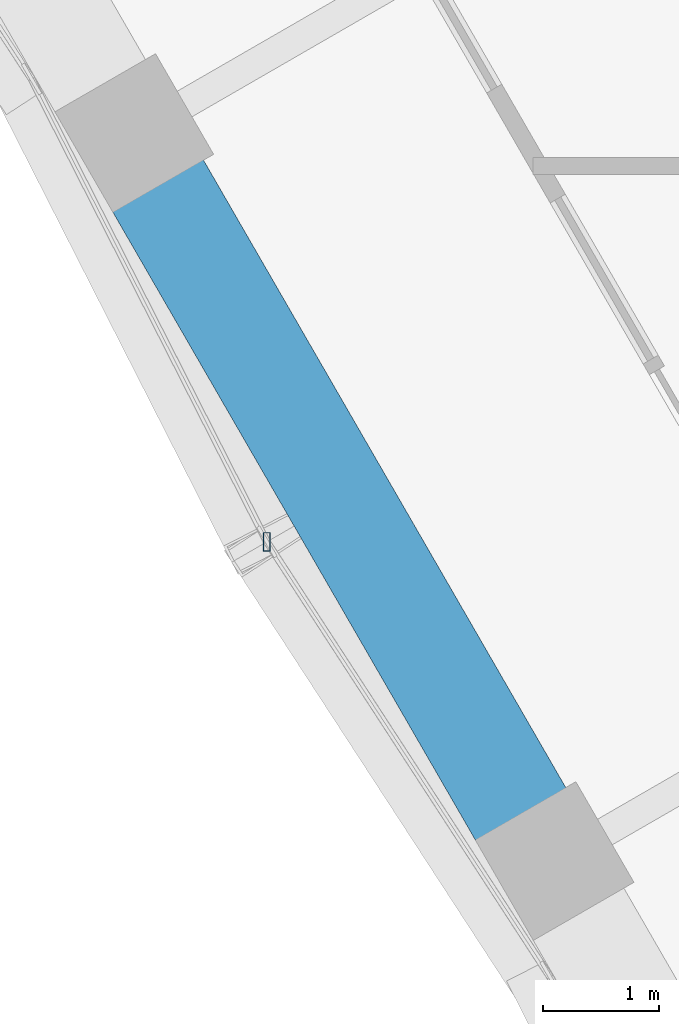
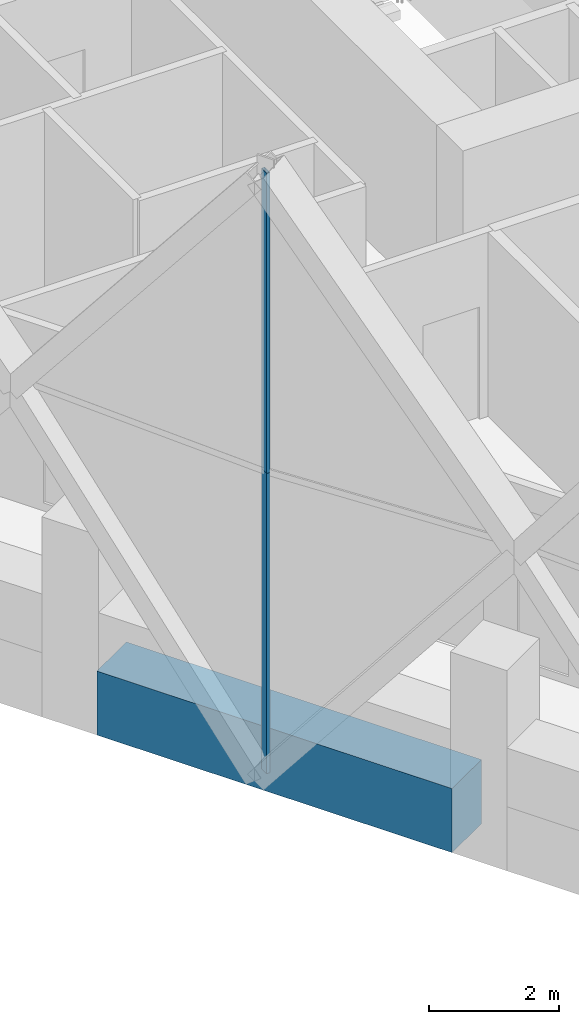
# One storey, part 3 of 19: 2 members, 1 beam, 1 element without a shape of its own.
"""IFC4 building model written with IfcOpenShell, lengths in metres."""

from ifc_helpers import new_model, si_unit, direction, frame, origin, origin_2d, place, context, subcontext, project, spatial, rectangle, hollow_rectangle, extrude, material, material_profile, profile_set, type_object, element, aggregate, save


model = new_model("IFC4")

# Units and contexts
model_context = context("Model", 3, precision=1e-05, world=origin(), true_north=direction((0.0, 1.0)))
body_context = subcontext(model_context, "Body", "Model", "MODEL_VIEW")
ifc_project = project(units=[si_unit("LENGTHUNIT", "METRE"), si_unit("AREAUNIT", "SQUARE_METRE"), si_unit("VOLUMEUNIT", "CUBIC_METRE"), si_unit("PLANEANGLEUNIT", "RADIAN"), si_unit("MASSUNIT", "GRAM", prefix="KILO")], contexts=[model_context])

# Site, building, storey
site_placement = place(None, origin())
site = spatial("IfcSite", under=ifc_project, at=site_placement, CompositionType="ELEMENT")
building_placement = place(site_placement, origin())
building = spatial("IfcBuilding", under=site, at=building_placement, Name="Ostrander Bayou Hotel Tower", CompositionType="ELEMENT")
storey_placement = place(building_placement, frame((0.0, 0.0, 164.5)))
storey = spatial("IfcBuildingStorey", under=building, at=storey_placement, Name="L40", CompositionType="ELEMENT", Elevation=164.5)

# Curtain wall, members
ifc_material_1 = material(Name="Aluminium and clear glass", Category="aluminium")
curtain_wall_type = type_object("IfcCurtainWallType", Name="CW-LAT lattice glazing", PredefinedType="NOTDEFINED", material=ifc_material_1)
curtain_wall_placement = place(storey_placement, origin())
curtain_wall = element("IfcCurtainWall", 1, at=curtain_wall_placement, inside=storey, type_object=curtain_wall_type, Name="CW-LAT L40 SW 1", PredefinedType="NOTDEFINED")
ifc_material_2 = material(Name="Aluminium", Category="aluminium")
ifc_material_profile_1 = material_profile(ifc_material_2, hollow_rectangle(XDim=0.06005859375, YDim=0.159912109375, WallThickness=0.00390625, at=origin_2d()))
ifc_profile_set_1 = profile_set([ifc_material_profile_1], Name="Aluminium")
member_type = type_object("IfcMemberType", Name="CW-LA mullion 60 x 160 mm", PredefinedType="MULLION", material=ifc_profile_set_1)
member_1_placement = place(storey_placement, frame((-16.51513671875, -9.534912109375, -0.60009765625), z_axis=(0.0, 0.0, 1.0), x_axis=(1.0, 0.0, 0.0)))
member_1 = element("IfcMember", 2, at=member_1_placement, type_object=member_type, Name="CW-LAT mullion 4", PredefinedType="MULLION", context=body_context, shape_type="SweptSolid", body=[
    extrude(hollow_rectangle(XDim=0.06005859375, YDim=0.159912109375, WallThickness=0.00390625, at=origin_2d()), origin(), (0.0, 0.0, 1.0), 5.625),
])
member_2_placement = place(storey_placement, frame((-16.51513671875, -9.534912109375, 5.02490234375), z_axis=(0.0, 0.0, 1.0), x_axis=(1.0, 0.0, 0.0)))
member_2 = element("IfcMember", 3, at=member_2_placement, type_object=member_type, Name="CW-LAT mullion 5", PredefinedType="MULLION", context=body_context, shape_type="SweptSolid", body=[
    extrude(hollow_rectangle(XDim=0.06005859375, YDim=0.159912109375, WallThickness=0.00390625, at=origin_2d()), origin(), (0.0, 0.0, 1.0), 5.625),
])
aggregate(curtain_wall, [member_1, member_2])

# Beam
ifc_material_3 = material(Name="Concrete f'c 60 MPa", Category="concrete")
ifc_material_profile_2 = material_profile(ifc_material_3, rectangle(XDim=0.89990234375, YDim=1.199951171875, at=origin_2d()))
ifc_profile_set_2 = profile_set([ifc_material_profile_2], Name="Concrete f'c 60 MPa")
beam_type = type_object("IfcBeamType", Name="SP3 spandrel beam 900 x 1200 mm f'c 60 MPa", PredefinedType="SPANDREL", material=ifc_profile_set_2)
beam_placement = place(storey_placement, frame((-17.465576171875, -6.44873046875, -0.60009765625), z_axis=(0.500013351051, -0.866017695414, 0.0), x_axis=(0.866017695414, 0.500013351051, 0.0)))
element("IfcBeam", 4, at=beam_placement, inside=storey, type_object=beam_type, Name="SP3 L40 SW-2", PredefinedType="SPANDREL", context=body_context, shape_type="SweptSolid", body=[
    extrude(rectangle(XDim=0.89990234375, YDim=1.199951171875, at=origin_2d()), origin(), (0.0, 0.0, 1.0), 6.296142578125),
])

save(model, "model.ifc")
